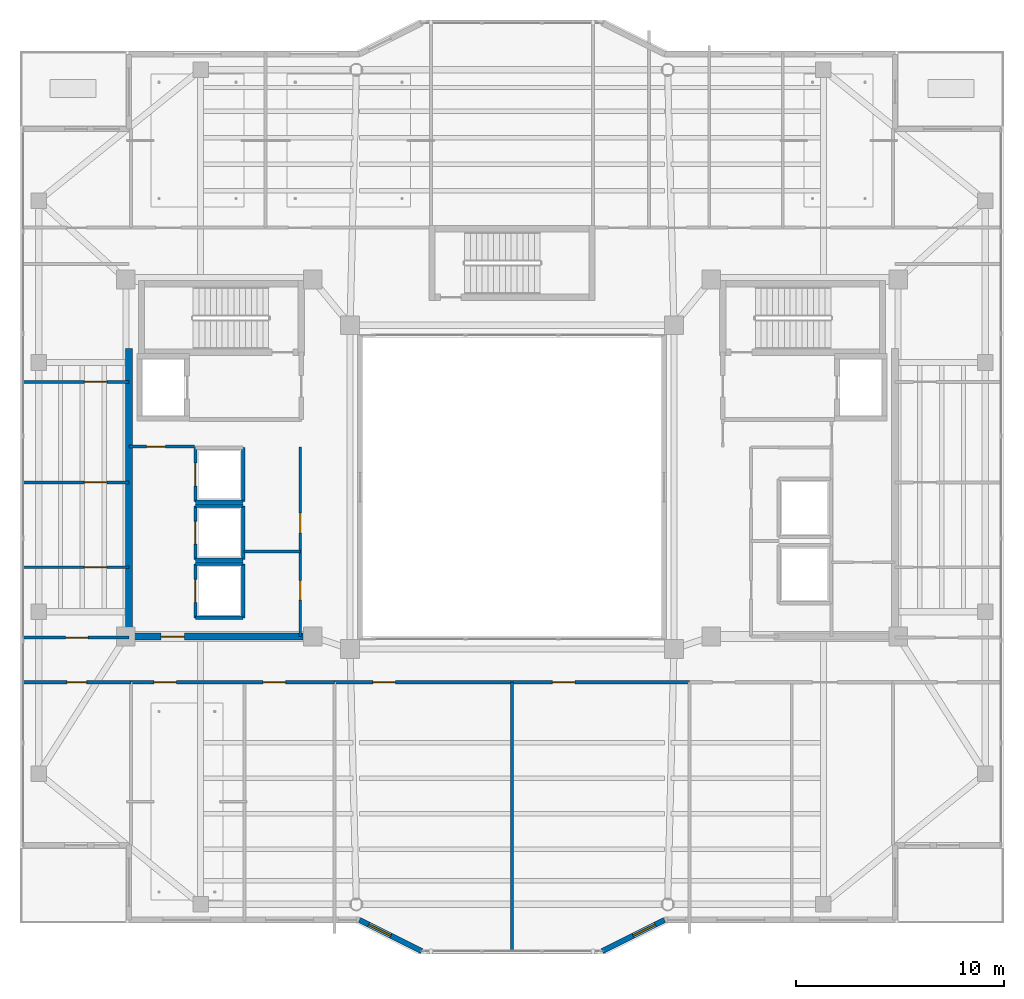
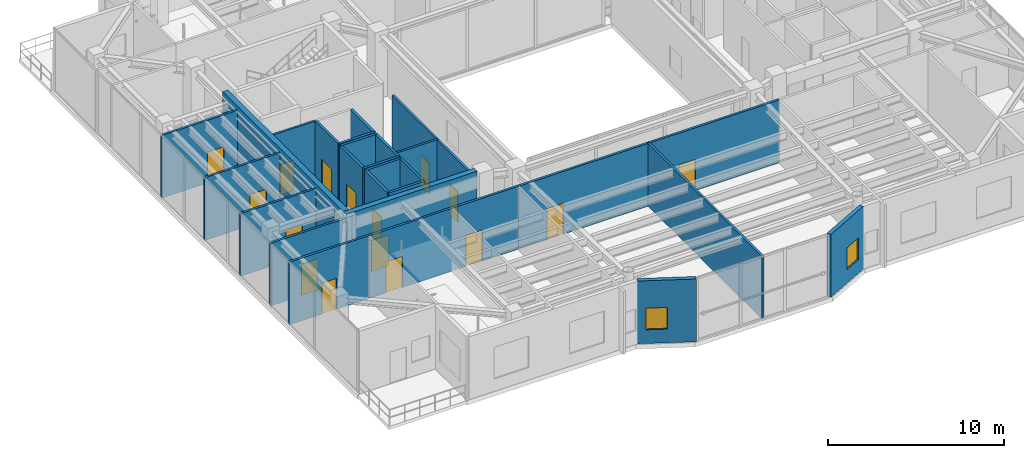
# One storey, part 23 of 34: 26 walls, 16 doors, 2 windows, 18 openings.
"""IFC4 building model written with IfcOpenShell, lengths in metres."""

from ifc_helpers import new_model, si_unit, direction, frame, frame_2d, origin, place, context, subcontext, project, spatial, rectangle, extrude, material, layer, layer_set, type_object, element, fill, save


model = new_model("IFC4")

# Units and contexts
model_context = context("Model", 3, precision=1e-05, world=origin(), true_north=direction((0.0, 1.0)))
body_context = subcontext(model_context, "Body", "Model", "MODEL_VIEW")
ifc_project = project(units=[si_unit("LENGTHUNIT", "METRE"), si_unit("AREAUNIT", "SQUARE_METRE"), si_unit("VOLUMEUNIT", "CUBIC_METRE"), si_unit("PLANEANGLEUNIT", "RADIAN"), si_unit("MASSUNIT", "GRAM", prefix="KILO")], contexts=[model_context])

# Site, building, storey
site_placement = place(None, origin())
site = spatial("IfcSite", under=ifc_project, at=site_placement, CompositionType="ELEMENT")
building_placement = place(site_placement, origin())
building = spatial("IfcBuilding", under=site, at=building_placement, Name="Tarnavaz Court Tower", CompositionType="ELEMENT")
storey_placement = place(building_placement, frame((0.0, 0.0, 231.75)))
storey = spatial("IfcBuildingStorey", under=building, at=storey_placement, Name="L63", CompositionType="ELEMENT", Elevation=231.75)

# Wall
ifc_material_1 = material(Name="Concrete C50/60", Category="concrete")
ifc_layer_1 = layer(ifc_material_1, 0.35009765625)
ifc_layer_set_1 = layer_set([ifc_layer_1], Name="Concrete C50/60")
wall_type_1 = type_object("IfcWallType", Name="WL-CORE-350-C50", PredefinedType="SHEAR", material=ifc_layer_set_1)
wall_1_placement = place(storey_placement, frame((-18.449951171875, -7.375, 0.0), z_axis=(0.0, 0.0, 1.0), x_axis=(0.0, 1.0, 0.0)))
element("IfcWall", 1, at=wall_1_placement, inside=storey, type_object=wall_type_1, Name="L63 West Core Shear Wall 045", PredefinedType="SHEAR", context=body_context, shape_type="SweptSolid", body=[
    extrude(rectangle(XDim=14.050048828125, YDim=0.35009765625, at=frame_2d((7.02490234375, 0.0))), origin(), (0.0, 0.0, 1.0), 4.64990234375),
])

# Wall, opening, door
wall_2_placement = place(storey_placement, frame((-18.625, -7.199951171875, 0.0), z_axis=(0.0, 0.0, 1.0), x_axis=(1.0, 0.0, 0.0)))
wall_2 = element("IfcWall", 2, at=wall_2_placement, inside=storey, type_object=wall_type_1, Name="L63 West Core South Shear Wall 046", PredefinedType="SHEAR", context=body_context, shape_type="SweptSolid", body=[
    extrude(rectangle(XDim=8.550048828125, YDim=0.35009765625, at=frame_2d((4.27490234375, 0.0))), origin(), (0.0, 0.0, 1.0), 4.64990234375),
])
opening_1_placement = place(wall_2_placement, frame((1.72509765625, 0.0, 0.0)))
opening_1 = element("IfcOpeningElement", 3, at=opening_1_placement, cuts=wall_2, Name="Opening D04", PredefinedType="OPENING", context=body_context, shape_type="SweptSolid", body=[
    extrude(rectangle(XDim=1.1201171875, YDim=2.14990234375, at=frame_2d((0.56005859375, 1.074951171875))), frame((0.0, 0.18505859375, 0.0), z_axis=(0.0, -1.0, 0.0), x_axis=(1.0, 0.0, 0.0)), (0.0, 0.0, 1.0), 0.3701171875),
])
ifc_material_2 = material(Name="Fire-Rated Hardwood Timber Core", Category="wood")
door_type_1 = type_object("IfcDoorType", Name="DR-FD60-1100", OperationType="NOTDEFINED", PredefinedType="DOOR", material=ifc_material_2)
door_1_placement = place(opening_1_placement, origin())
door_1 = element("IfcDoor", 4, at=door_1_placement, inside=storey, type_object=door_type_1, Name="L63 West High-Rise Lift Lobby Door", OperationType="SINGLE_SWING_LEFT", OverallHeight=2.14990234375, OverallWidth=1.1201171875, PredefinedType="DOOR", context=body_context, shape_type="SweptSolid", body=[
    extrude(rectangle(XDim=1.1201171875, YDim=2.14990234375, at=frame_2d((0.56005859375, 1.074951171875))), frame((0.0, 0.02490234375, 0.0), z_axis=(0.0, -1.0, 0.0), x_axis=(1.0, 0.0, 0.0)), (0.0, 0.0, 1.0), 0.050048828125),
])
fill(opening_1, door_1)

# Wall, opening, window
ifc_material_3 = material(Name="Precast Concrete C40/50", Category="concrete")
ifc_layer_2 = layer(ifc_material_3, 0.260009765625)
ifc_layer_set_2 = layer_set([ifc_layer_2], Name="Precast Concrete C40/50")
wall_type_2 = type_object("IfcWallType", Name="WL-EXT-260", PredefinedType="SOLIDWALL", material=ifc_layer_set_2)
wall_3_placement = place(storey_placement, frame((7.35009765625, -20.85009765625, 0.0), z_axis=(0.0, 0.0, 1.0), x_axis=(-0.894427191, -0.4472135955, 0.0)))
wall_3 = element("IfcWall", 5, at=wall_3_placement, inside=storey, type_object=wall_type_2, Name="L63 Exterior Terracotta Facade Wall 16", PredefinedType="SOLIDWALL", context=body_context, shape_type="SweptSolid", body=[
    extrude(rectangle(XDim=3.35400390625, YDim=0.260009765625, at=frame_2d((1.677001953125, 0.0))), origin(), (0.0, 0.0, 1.0), 4.35009765625),
])
opening_2_placement = place(wall_3_placement, frame((0.501220703125, 0.0, 0.949951171875)))
opening_2 = element("IfcOpeningElement", 6, at=opening_2_placement, cuts=wall_3, Name="Opening W05", PredefinedType="OPENING", context=body_context, shape_type="SweptSolid", body=[
    extrude(rectangle(XDim=1.199951171875, YDim=1.5, at=frame_2d((0.60009765625, 0.75))), frame((0.0, 0.139892578125, 0.0), z_axis=(0.0, -1.0, 0.0), x_axis=(1.0, 0.0, 0.0)), (0.0, 0.0, 1.0), 0.280029296875),
])
ifc_material_4 = material(Name="Double-Glazed Solar Low-E Glass", Category="glass")
window_type = type_object("IfcWindowType", Name="WN-APT-1200", PartitioningType="SINGLE_PANEL", PredefinedType="WINDOW", material=ifc_material_4)
window_1_placement = place(opening_2_placement, origin())
window_1 = element("IfcWindow", 7, at=window_1_placement, inside=storey, type_object=window_type, Name="L63 L63 South-East Music and Arts Studio Window", OverallHeight=1.5, OverallWidth=1.199951171875, PartitioningType="SINGLE_PANEL", PredefinedType="WINDOW", context=body_context, shape_type="SweptSolid", body=[
    extrude(rectangle(XDim=1.199951171875, YDim=1.5, at=frame_2d((0.60009765625, 0.75))), frame((0.0, 0.030029296875, 0.0), z_axis=(0.0, -1.0, 0.0), x_axis=(1.0, 0.0, 0.0)), (0.0, 0.0, 1.0), 0.06005859375),
])
fill(opening_2, window_1)

wall_4_placement = place(storey_placement, frame((-4.35009765625, -22.35009765625, 0.0), z_axis=(0.0, 0.0, 1.0), x_axis=(-0.894427191, 0.4472135955, 0.0)))
wall_4 = element("IfcWall", 8, at=wall_4_placement, inside=storey, type_object=wall_type_2, Name="L63 Exterior Terracotta Facade Wall 18", PredefinedType="SOLIDWALL", context=body_context, shape_type="SweptSolid", body=[
    extrude(rectangle(XDim=3.35400390625, YDim=0.260009765625, at=frame_2d((1.677001953125, 0.0))), origin(), (0.0, 0.0, 1.0), 4.35009765625),
])
opening_3_placement = place(wall_4_placement, frame((1.65283203125, 0.0, 0.949951171875)))
opening_3 = element("IfcOpeningElement", 9, at=opening_3_placement, cuts=wall_4, Name="Opening W05", PredefinedType="OPENING", context=body_context, shape_type="SweptSolid", body=[
    extrude(rectangle(XDim=1.199951171875, YDim=1.5, at=frame_2d((0.60009765625, 0.75))), frame((0.0, 0.139892578125, 0.0), z_axis=(0.0, -1.0, 0.0), x_axis=(1.0, 0.0, 0.0)), (0.0, 0.0, 1.0), 0.280029296875),
])
window_2_placement = place(opening_3_placement, origin())
window_2 = element("IfcWindow", 10, at=window_2_placement, inside=storey, type_object=window_type, Name="L63 L63 South-West Cultural Classroom Window", OverallHeight=1.5, OverallWidth=1.199951171875, PartitioningType="SINGLE_PANEL", PredefinedType="WINDOW", context=body_context, shape_type="SweptSolid", body=[
    extrude(rectangle(XDim=1.199951171875, YDim=1.5, at=frame_2d((0.60009765625, 0.75))), frame((0.0, 0.030029296875, 0.0), z_axis=(0.0, -1.0, 0.0), x_axis=(1.0, 0.0, 0.0)), (0.0, 0.0, 1.0), 0.06005859375),
])
fill(opening_3, window_2)

# Wall, openings, doors
ifc_material_5 = material(Name="Gypsum Fire-Board on Acoustic Metal Stud", Category="masonry")
ifc_layer_3 = layer(ifc_material_5, 0.14990234375)
ifc_layer_set_3 = layer_set([ifc_layer_3], Name="Gypsum Fire-Board on Acoustic Metal Stud")
wall_type_3 = type_object("IfcWallType", Name="WL-FIRE-150", PredefinedType="PARTITIONING", material=ifc_layer_set_3)
wall_5_placement = place(storey_placement, frame((-18.35009765625, -9.39990234375, 0.0), z_axis=(0.0, 0.0, 1.0), x_axis=(1.0, 0.0, 0.0)))
wall_5 = element("IfcWall", 11, at=wall_5_placement, inside=storey, type_object=wall_type_3, Name="L63 SW Lobby Wall 062", PredefinedType="PARTITIONING", context=body_context, shape_type="SweptSolid", body=[
    extrude(rectangle(XDim=9.800048828125, YDim=0.14990234375, at=frame_2d((4.89990234375, 0.0))), origin(), (0.0, 0.0, 1.0), 4.35009765625),
])
opening_4_placement = place(wall_5_placement, frame((1.10009765625, 0.0, 0.0)))
opening_4 = element("IfcOpeningElement", 12, at=opening_4_placement, cuts=wall_5, Name="Opening D12", PredefinedType="OPENING", context=body_context, shape_type="SweptSolid", body=[
    extrude(rectangle(XDim=1.080078125, YDim=2.14990234375, at=frame_2d((0.5400390625, 1.074951171875))), frame((0.0, 0.0849609375, 0.0), z_axis=(0.0, -1.0, 0.0), x_axis=(1.0, 0.0, 0.0)), (0.0, 0.0, 1.0), 0.169921875),
])
opening_5_placement = place(wall_5_placement, frame((6.360107421875, 0.0, 0.0)))
opening_5 = element("IfcOpeningElement", 13, at=opening_5_placement, cuts=wall_5, Name="Opening D12", PredefinedType="OPENING", context=body_context, shape_type="SweptSolid", body=[
    extrude(rectangle(XDim=1.080078125, YDim=2.14990234375, at=frame_2d((0.5400390625, 1.074951171875))), frame((0.0, 0.0849609375, 0.0), z_axis=(0.0, -1.0, 0.0), x_axis=(1.0, 0.0, 0.0)), (0.0, 0.0, 1.0), 0.169921875),
])
ifc_material_6 = material(Name="Engineered Oak Timber", Category="wood")
door_type_2 = type_object("IfcDoorType", Name="DR-INT-1100", OperationType="NOTDEFINED", PredefinedType="DOOR", material=ifc_material_6)
door_2_placement = place(opening_4_placement, origin())
door_2 = element("IfcDoor", 14, at=door_2_placement, inside=storey, type_object=door_type_2, Name="L63 L63 Daycare Classroom Door", OperationType="SINGLE_SWING_RIGHT", OverallHeight=2.14990234375, OverallWidth=1.080078125, PredefinedType="DOOR", context=body_context, shape_type="SweptSolid", body=[
    extrude(rectangle(XDim=1.080078125, YDim=2.14990234375, at=frame_2d((0.5400390625, 1.074951171875))), frame((0.0, 0.02490234375, 0.0), z_axis=(0.0, -1.0, 0.0), x_axis=(1.0, 0.0, 0.0)), (0.0, 0.0, 1.0), 0.050048828125),
])
fill(opening_4, door_2)
door_3_placement = place(opening_5_placement, origin())
door_3 = element("IfcDoor", 15, at=door_3_placement, inside=storey, type_object=door_type_2, Name="L63 SW Study Room Door", OperationType="SINGLE_SWING_LEFT", OverallHeight=2.14990234375, OverallWidth=1.080078125, PredefinedType="DOOR", context=body_context, shape_type="SweptSolid", body=[
    extrude(rectangle(XDim=1.080078125, YDim=2.14990234375, at=frame_2d((0.5400390625, 1.074951171875))), frame((0.0, 0.02490234375, 0.0), z_axis=(0.0, -1.0, 0.0), x_axis=(1.0, 0.0, 0.0)), (0.0, 0.0, 1.0), 0.050048828125),
])
fill(opening_5, door_3)

wall_6_placement = place(storey_placement, frame((-8.550048828125, -9.39990234375, 0.0), z_axis=(0.0, 0.0, 1.0), x_axis=(1.0, 0.0, 0.0)))
wall_6 = element("IfcWall", 16, at=wall_6_placement, inside=storey, type_object=wall_type_3, Name="L63 Interior Partition 074", PredefinedType="PARTITIONING", context=body_context, shape_type="SweptSolid", body=[
    extrude(rectangle(XDim=17.10009765625, YDim=0.14990234375, at=frame_2d((8.550048828125, 0.0))), origin(), (0.0, 0.0, 1.0), 4.35009765625),
])
opening_6_placement = place(wall_6_placement, frame((1.85009765625, 0.0, 0.0)))
opening_6 = element("IfcOpeningElement", 17, at=opening_6_placement, cuts=wall_6, Name="Opening D12", PredefinedType="OPENING", context=body_context, shape_type="SweptSolid", body=[
    extrude(rectangle(XDim=1.080078125, YDim=2.14990234375, at=frame_2d((0.5400390625, 1.074951171875))), frame((0.0, 0.0849609375, 0.0), z_axis=(0.0, -1.0, 0.0), x_axis=(1.0, 0.0, 0.0)), (0.0, 0.0, 1.0), 0.169921875),
])
opening_7_placement = place(wall_6_placement, frame((10.5, 0.0, 0.0)))
opening_7 = element("IfcOpeningElement", 18, at=opening_7_placement, cuts=wall_6, Name="Opening D12", PredefinedType="OPENING", context=body_context, shape_type="SweptSolid", body=[
    extrude(rectangle(XDim=1.080078125, YDim=2.14990234375, at=frame_2d((0.5400390625, 1.074951171875))), frame((0.0, 0.0849609375, 0.0), z_axis=(0.0, -1.0, 0.0), x_axis=(1.0, 0.0, 0.0)), (0.0, 0.0, 1.0), 0.169921875),
])
door_4_placement = place(opening_6_placement, origin())
door_4 = element("IfcDoor", 19, at=door_4_placement, inside=storey, type_object=door_type_2, Name="L63 Cultural Classroom Door", OperationType="SINGLE_SWING_RIGHT", OverallHeight=2.14990234375, OverallWidth=1.080078125, PredefinedType="DOOR", context=body_context, shape_type="SweptSolid", body=[
    extrude(rectangle(XDim=1.080078125, YDim=2.14990234375, at=frame_2d((0.5400390625, 1.074951171875))), frame((0.0, 0.02490234375, 0.0), z_axis=(0.0, -1.0, 0.0), x_axis=(1.0, 0.0, 0.0)), (0.0, 0.0, 1.0), 0.050048828125),
])
fill(opening_6, door_4)
door_5_placement = place(opening_7_placement, origin())
door_5 = element("IfcDoor", 20, at=door_5_placement, inside=storey, type_object=door_type_2, Name="L63 Arts Studio Door", OperationType="SINGLE_SWING_LEFT", OverallHeight=2.14990234375, OverallWidth=1.080078125, PredefinedType="DOOR", context=body_context, shape_type="SweptSolid", body=[
    extrude(rectangle(XDim=1.080078125, YDim=2.14990234375, at=frame_2d((0.5400390625, 1.074951171875))), frame((0.0, 0.02490234375, 0.0), z_axis=(0.0, -1.0, 0.0), x_axis=(1.0, 0.0, 0.0)), (0.0, 0.0, 1.0), 0.050048828125),
])
fill(opening_7, door_5)

# Wall, opening, door
wall_7_placement = place(storey_placement, frame((-23.580078125, -7.25, 0.0), z_axis=(0.0, 0.0, 1.0), x_axis=(1.0, 0.0, 0.0)))
wall_7 = element("IfcWall", 21, at=wall_7_placement, inside=storey, type_object=wall_type_3, Name="L63 Interior Partition 076", PredefinedType="PARTITIONING", context=body_context, shape_type="SweptSolid", body=[
    extrude(rectangle(XDim=5.130126953125, YDim=0.14990234375, at=frame_2d((2.56494140625, 0.0))), origin(), (0.0, 0.0, 1.0), 4.35009765625),
])
opening_8_placement = place(wall_7_placement, frame((2.080078125, 0.0, 0.0)))
opening_8 = element("IfcOpeningElement", 22, at=opening_8_placement, cuts=wall_7, Name="Opening D12", PredefinedType="OPENING", context=body_context, shape_type="SweptSolid", body=[
    extrude(rectangle(XDim=1.080078125, YDim=2.14990234375, at=frame_2d((0.5400390625, 1.074951171875))), frame((0.0, 0.0849609375, 0.0), z_axis=(0.0, -1.0, 0.0), x_axis=(1.0, 0.0, 0.0)), (0.0, 0.0, 1.0), 0.169921875),
])
door_6_placement = place(opening_8_placement, origin())
door_6 = element("IfcDoor", 23, at=door_6_placement, inside=storey, type_object=door_type_2, Name="L63 West Suite Room 1 Door", OperationType="SINGLE_SWING_RIGHT", OverallHeight=2.14990234375, OverallWidth=1.080078125, PredefinedType="DOOR", context=body_context, shape_type="SweptSolid", body=[
    extrude(rectangle(XDim=1.080078125, YDim=2.14990234375, at=frame_2d((0.5400390625, 1.074951171875))), frame((0.0, 0.02490234375, 0.0), z_axis=(0.0, -1.0, 0.0), x_axis=(1.0, 0.0, 0.0)), (0.0, 0.0, 1.0), 0.050048828125),
])
fill(opening_8, door_6)

wall_8_placement = place(storey_placement, frame((-23.580078125, -9.39990234375, 0.0), z_axis=(0.0, 0.0, 1.0), x_axis=(1.0, 0.0, 0.0)))
wall_8 = element("IfcWall", 24, at=wall_8_placement, inside=storey, type_object=wall_type_3, Name="L63 Interior Partition 086", PredefinedType="PARTITIONING", context=body_context, shape_type="SweptSolid", body=[
    extrude(rectangle(XDim=5.22998046875, YDim=0.14990234375, at=frame_2d((2.614990234375, 0.0))), origin(), (0.0, 0.0, 1.0), 4.35009765625),
])
opening_9_placement = place(wall_8_placement, frame((2.139892578125, 0.0, 0.0)))
opening_9 = element("IfcOpeningElement", 25, at=opening_9_placement, cuts=wall_8, Name="Opening D13", PredefinedType="OPENING", context=body_context, shape_type="SweptSolid", body=[
    extrude(rectangle(XDim=0.949951171875, YDim=2.14990234375, at=frame_2d((0.47509765625, 1.074951171875))), frame((0.0, 0.0849609375, 0.0), z_axis=(0.0, -1.0, 0.0), x_axis=(1.0, 0.0, 0.0)), (0.0, 0.0, 1.0), 0.169921875),
])
door_type_3 = type_object("IfcDoorType", Name="DR-INT-950", OperationType="NOTDEFINED", PredefinedType="DOOR", material=ifc_material_6)
door_7_placement = place(opening_9_placement, origin())
door_7 = element("IfcDoor", 26, at=door_7_placement, inside=storey, type_object=door_type_3, Name="L63 SW Terrace Salon Door", OperationType="SINGLE_SWING_RIGHT", OverallHeight=2.14990234375, OverallWidth=0.949951171875, PredefinedType="DOOR", context=body_context, shape_type="SweptSolid", body=[
    extrude(rectangle(XDim=0.949951171875, YDim=2.14990234375, at=frame_2d((0.47509765625, 1.074951171875))), frame((0.0, 0.02490234375, 0.0), z_axis=(0.0, -1.0, 0.0), x_axis=(1.0, 0.0, 0.0)), (0.0, 0.0, 1.0), 0.050048828125),
])
fill(opening_9, door_7)

ifc_material_7 = material(Name="Gypsum Plasterboard Acoustic Partition", Category="masonry")
ifc_layer_4 = layer(ifc_material_7, 0.139892578125)
ifc_layer_set_4 = layer_set([ifc_layer_4], Name="Gypsum Plasterboard Acoustic Partition")
wall_type_4 = type_object("IfcWallType", Name="WL-PART-150", PredefinedType="PARTITIONING", material=ifc_layer_set_4)
wall_9_placement = place(storey_placement, frame((-18.449951171875, 1.949951171875, 0.0), z_axis=(0.0, 0.0, 1.0), x_axis=(1.0, 0.0, 0.0)))
wall_9 = element("IfcWall", 27, at=wall_9_placement, inside=storey, type_object=wall_type_4, Name="L63 Interior Partition 049", PredefinedType="PARTITIONING", context=body_context, shape_type="SweptSolid", body=[
    extrude(rectangle(XDim=3.14990234375, YDim=0.139892578125, at=frame_2d((1.574951171875, 0.0))), origin(), (0.0, 0.0, 1.0), 4.35009765625),
])
opening_10_placement = place(wall_9_placement, frame((0.85009765625, 0.0, 0.0)))
opening_10 = element("IfcOpeningElement", 28, at=opening_10_placement, cuts=wall_9, Name="Opening D09", PredefinedType="OPENING", context=body_context, shape_type="SweptSolid", body=[
    extrude(rectangle(XDim=0.89990234375, YDim=2.080078125, at=frame_2d((0.449951171875, 1.0400390625))), frame((0.0, 0.079833984375, 0.0), z_axis=(0.0, -1.0, 0.0), x_axis=(1.0, 0.0, 0.0)), (0.0, 0.0, 1.0), 0.159912109375),
])
door_type_4 = type_object("IfcDoorType", Name="DR-FD30-900", OperationType="NOTDEFINED", PredefinedType="DOOR", material=ifc_material_2)
door_8_placement = place(opening_10_placement, origin())
door_8 = element("IfcDoor", 29, at=door_8_placement, inside=storey, type_object=door_type_4, Name="L63 West Core Electrical Room Door", OperationType="SINGLE_SWING_RIGHT", OverallHeight=2.080078125, OverallWidth=0.89990234375, PredefinedType="DOOR", context=body_context, shape_type="SweptSolid", body=[
    extrude(rectangle(XDim=0.89990234375, YDim=2.080078125, at=frame_2d((0.449951171875, 1.0400390625))), frame((0.0, 0.02490234375, 0.0), z_axis=(0.0, -1.0, 0.0), x_axis=(1.0, 0.0, 0.0)), (0.0, 0.0, 1.0), 0.050048828125),
])
fill(opening_10, door_8)

# Wall, openings, doors
wall_10_placement = place(storey_placement, frame((-10.199951171875, -7.199951171875, 0.0), z_axis=(0.0, 0.0, 1.0), x_axis=(0.0, 1.0, 0.0)))
wall_10 = element("IfcWall", 30, at=wall_10_placement, inside=storey, type_object=wall_type_4, Name="L63 West Reclaimed Core Wall 050", PredefinedType="PARTITIONING", context=body_context, shape_type="SweptSolid", body=[
    extrude(rectangle(XDim=9.119873046875, YDim=0.139892578125, at=frame_2d((4.56005859375, 0.0))), origin(), (0.0, 0.0, 1.0), 4.35009765625),
])
opening_11_placement = place(wall_10_placement, frame((1.75, 0.0, 0.0)))
opening_11 = element("IfcOpeningElement", 31, at=opening_11_placement, cuts=wall_10, Name="Opening D08", PredefinedType="OPENING", context=body_context, shape_type="SweptSolid", body=[
    extrude(rectangle(XDim=0.949951171875, YDim=2.1201171875, at=frame_2d((0.47509765625, 1.06005859375))), frame((0.0, 0.079833984375, 0.0), z_axis=(0.0, -1.0, 0.0), x_axis=(1.0, 0.0, 0.0)), (0.0, 0.0, 1.0), 0.159912109375),
])
opening_12_placement = place(wall_10_placement, frame((5.0, 0.0, 0.0)))
opening_12 = element("IfcOpeningElement", 32, at=opening_12_placement, cuts=wall_10, Name="Opening D08", PredefinedType="OPENING", context=body_context, shape_type="SweptSolid", body=[
    extrude(rectangle(XDim=0.949951171875, YDim=2.1201171875, at=frame_2d((0.47509765625, 1.06005859375))), frame((0.0, 0.079833984375, 0.0), z_axis=(0.0, -1.0, 0.0), x_axis=(1.0, 0.0, 0.0)), (0.0, 0.0, 1.0), 0.159912109375),
])
door_type_5 = type_object("IfcDoorType", Name="DR-FD30-950", OperationType="NOTDEFINED", PredefinedType="DOOR", material=ifc_material_2)
door_9_placement = place(opening_11_placement, origin())
door_9 = element("IfcDoor", 33, at=door_9_placement, inside=storey, type_object=door_type_5, Name="L63 West Study Room Door", OperationType="SINGLE_SWING_LEFT", OverallHeight=2.1201171875, OverallWidth=0.949951171875, PredefinedType="DOOR", context=body_context, shape_type="SweptSolid", body=[
    extrude(rectangle(XDim=0.949951171875, YDim=2.1201171875, at=frame_2d((0.47509765625, 1.06005859375))), frame((0.0, 0.02490234375, 0.0), z_axis=(0.0, -1.0, 0.0), x_axis=(1.0, 0.0, 0.0)), (0.0, 0.0, 1.0), 0.050048828125),
])
fill(opening_11, door_9)
door_10_placement = place(opening_12_placement, origin())
door_10 = element("IfcDoor", 34, at=door_10_placement, inside=storey, type_object=door_type_5, Name="L63 West Laundry Room Door", OperationType="SINGLE_SWING_RIGHT", OverallHeight=2.1201171875, OverallWidth=0.949951171875, PredefinedType="DOOR", context=body_context, shape_type="SweptSolid", body=[
    extrude(rectangle(XDim=0.949951171875, YDim=2.1201171875, at=frame_2d((0.47509765625, 1.06005859375))), frame((0.0, 0.02490234375, 0.0), z_axis=(0.0, -1.0, 0.0), x_axis=(1.0, 0.0, 0.0)), (0.0, 0.0, 1.0), 0.050048828125),
])
fill(opening_12, door_10)

# Walls
wall_11_placement = place(storey_placement, frame((-12.89990234375, -3.10009765625, 0.0), z_axis=(0.0, 0.0, 1.0), x_axis=(1.0, 0.0, 0.0)))
element("IfcWall", 35, at=wall_11_placement, inside=storey, type_object=wall_type_4, Name="L63 Interior Partition 051", PredefinedType="PARTITIONING", context=body_context, shape_type="SweptSolid", body=[
    extrude(rectangle(XDim=2.699951171875, YDim=0.139892578125, at=frame_2d((1.35009765625, 0.0))), origin(), (0.0, 0.0, 1.0), 4.35009765625),
])
wall_12_placement = place(storey_placement, frame((0.0, -22.3798828125, 0.0), z_axis=(0.0, 0.0, 1.0), x_axis=(0.0, 1.0, 0.0)))
element("IfcWall", 36, at=wall_12_placement, inside=storey, type_object=wall_type_4, Name="L63 Interior Partition 075", PredefinedType="PARTITIONING", context=body_context, shape_type="SweptSolid", body=[
    extrude(rectangle(XDim=12.97998046875, YDim=0.139892578125, at=frame_2d((6.489990234375, 0.0))), origin(), (0.0, 0.0, 1.0), 4.35009765625),
])

# Wall, opening, door
wall_13_placement = place(storey_placement, frame((-23.580078125, -3.860107421875, 0.0), z_axis=(0.0, 0.0, 1.0), x_axis=(1.0, 0.0, 0.0)))
wall_13 = element("IfcWall", 37, at=wall_13_placement, inside=storey, type_object=wall_type_4, Name="L63 Interior Partition 088", PredefinedType="PARTITIONING", context=body_context, shape_type="SweptSolid", body=[
    extrude(rectangle(XDim=5.130126953125, YDim=0.139892578125, at=frame_2d((2.56494140625, 0.0))), origin(), (0.0, 0.0, 1.0), 4.35009765625),
])
opening_13_placement = place(wall_13_placement, frame((2.97998046875, 0.0, 0.0)))
opening_13 = element("IfcOpeningElement", 38, at=opening_13_placement, cuts=wall_13, Name="Opening D12", PredefinedType="OPENING", context=body_context, shape_type="SweptSolid", body=[
    extrude(rectangle(XDim=1.080078125, YDim=2.14990234375, at=frame_2d((0.5400390625, 1.074951171875))), frame((0.0, 0.079833984375, 0.0), z_axis=(0.0, -1.0, 0.0), x_axis=(1.0, 0.0, 0.0)), (0.0, 0.0, 1.0), 0.159912109375),
])
door_11_placement = place(opening_13_placement, origin())
door_11 = element("IfcDoor", 39, at=door_11_placement, inside=storey, type_object=door_type_2, Name="L63 West Suite Room 2 Door", OperationType="SINGLE_SWING_LEFT", OverallHeight=2.14990234375, OverallWidth=1.080078125, PredefinedType="DOOR", context=body_context, shape_type="SweptSolid", body=[
    extrude(rectangle(XDim=1.080078125, YDim=2.14990234375, at=frame_2d((0.5400390625, 1.074951171875))), frame((0.0, 0.02490234375, 0.0), z_axis=(0.0, -1.0, 0.0), x_axis=(1.0, 0.0, 0.0)), (0.0, 0.0, 1.0), 0.050048828125),
])
fill(opening_13, door_11)

wall_14_placement = place(storey_placement, frame((-23.580078125, 0.222900390625, 0.0), z_axis=(0.0, 0.0, 1.0), x_axis=(1.0, 0.0, 0.0)))
wall_14 = element("IfcWall", 40, at=wall_14_placement, inside=storey, type_object=wall_type_4, Name="L63 Interior Partition 089", PredefinedType="PARTITIONING", context=body_context, shape_type="SweptSolid", body=[
    extrude(rectangle(XDim=5.130126953125, YDim=0.139892578125, at=frame_2d((2.56494140625, 0.0))), origin(), (0.0, 0.0, 1.0), 4.35009765625),
])
opening_14_placement = place(wall_14_placement, frame((2.97998046875, 0.0, 0.0)))
opening_14 = element("IfcOpeningElement", 41, at=opening_14_placement, cuts=wall_14, Name="Opening D12", PredefinedType="OPENING", context=body_context, shape_type="SweptSolid", body=[
    extrude(rectangle(XDim=1.080078125, YDim=2.14990234375, at=frame_2d((0.5400390625, 1.074951171875))), frame((0.0, 0.079833984375, 0.0), z_axis=(0.0, -1.0, 0.0), x_axis=(1.0, 0.0, 0.0)), (0.0, 0.0, 1.0), 0.159912109375),
])
door_12_placement = place(opening_14_placement, origin())
door_12 = element("IfcDoor", 42, at=door_12_placement, inside=storey, type_object=door_type_2, Name="L63 West Suite Room 3 Door", OperationType="SINGLE_SWING_RIGHT", OverallHeight=2.14990234375, OverallWidth=1.080078125, PredefinedType="DOOR", context=body_context, shape_type="SweptSolid", body=[
    extrude(rectangle(XDim=1.080078125, YDim=2.14990234375, at=frame_2d((0.5400390625, 1.074951171875))), frame((0.0, 0.02490234375, 0.0), z_axis=(0.0, -1.0, 0.0), x_axis=(1.0, 0.0, 0.0)), (0.0, 0.0, 1.0), 0.050048828125),
])
fill(opening_14, door_12)

wall_15_placement = place(storey_placement, frame((-23.580078125, 5.070068359375, 0.0), z_axis=(0.0, 0.0, 1.0), x_axis=(1.0, 0.0, 0.0)))
wall_15 = element("IfcWall", 43, at=wall_15_placement, inside=storey, type_object=wall_type_4, Name="L63 Interior Partition 090", PredefinedType="PARTITIONING", context=body_context, shape_type="SweptSolid", body=[
    extrude(rectangle(XDim=5.130126953125, YDim=0.139892578125, at=frame_2d((2.56494140625, 0.0))), origin(), (0.0, 0.0, 1.0), 4.35009765625),
])
opening_15_placement = place(wall_15_placement, frame((2.97998046875, 0.0, 0.0)))
opening_15 = element("IfcOpeningElement", 44, at=opening_15_placement, cuts=wall_15, Name="Opening D12", PredefinedType="OPENING", context=body_context, shape_type="SweptSolid", body=[
    extrude(rectangle(XDim=1.080078125, YDim=2.14990234375, at=frame_2d((0.5400390625, 1.074951171875))), frame((0.0, 0.079833984375, 0.0), z_axis=(0.0, -1.0, 0.0), x_axis=(1.0, 0.0, 0.0)), (0.0, 0.0, 1.0), 0.159912109375),
])
door_13_placement = place(opening_15_placement, origin())
door_13 = element("IfcDoor", 45, at=door_13_placement, inside=storey, type_object=door_type_2, Name="L63 West Suite Room 4 Door", OperationType="SINGLE_SWING_LEFT", OverallHeight=2.14990234375, OverallWidth=1.080078125, PredefinedType="DOOR", context=body_context, shape_type="SweptSolid", body=[
    extrude(rectangle(XDim=1.080078125, YDim=2.14990234375, at=frame_2d((0.5400390625, 1.074951171875))), frame((0.0, 0.02490234375, 0.0), z_axis=(0.0, -1.0, 0.0), x_axis=(1.0, 0.0, 0.0)), (0.0, 0.0, 1.0), 0.050048828125),
])
fill(opening_15, door_13)

ifc_material_8 = material(Name="Autoclaved Aerated Concrete Blockwork", Category="masonry")
ifc_layer_5 = layer(ifc_material_8, 0.159912109375)
ifc_layer_set_5 = layer_set([ifc_layer_5], Name="Autoclaved Aerated Concrete Blockwork")
wall_type_5 = type_object("IfcWallType", Name="WL-SHAFT-150", PredefinedType="SOLIDWALL", material=ifc_layer_set_5)
wall_16_placement = place(storey_placement, frame((-15.25, -6.300048828125, 0.0), z_axis=(0.0, 0.0, 1.0), x_axis=(0.0, 1.0, 0.0)))
wall_16 = element("IfcWall", 46, at=wall_16_placement, inside=storey, type_object=wall_type_5, Name="L63 Lift PL-H1 Shaft Wall 021", PredefinedType="SOLIDWALL", context=body_context, shape_type="SweptSolid", body=[
    extrude(rectangle(XDim=2.60009765625, YDim=0.159912109375, at=frame_2d((1.300048828125, 0.0))), origin(), (0.0, 0.0, 1.0), 4.35009765625),
])
opening_16_placement = place(wall_16_placement, frame((0.75, 0.0, 0.0)))
opening_16 = element("IfcOpeningElement", 47, at=opening_16_placement, cuts=wall_16, Name="Opening LD1", PredefinedType="OPENING", context=body_context, shape_type="SweptSolid", body=[
    extrude(rectangle(XDim=1.10009765625, YDim=2.14990234375, at=frame_2d((0.550048828125, 1.074951171875))), frame((0.0, 0.08984375, 0.0), z_axis=(0.0, -1.0, 0.0), x_axis=(1.0, 0.0, 0.0)), (0.0, 0.0, 1.0), 0.179931640625),
])
ifc_material_9 = material(Name="Stainless Steel", Category="steel")
door_type_6 = type_object("IfcDoorType", Name="DR-LD-1100", OperationType="NOTDEFINED", PredefinedType="DOOR", material=ifc_material_9)
door_14_placement = place(opening_16_placement, origin())
door_14 = element("IfcDoor", 48, at=door_14_placement, inside=storey, type_object=door_type_6, Name="L63 Lift Landing Door LD-PL-H1", OperationType="SLIDING_TO_LEFT", OverallHeight=2.14990234375, OverallWidth=1.10009765625, PredefinedType="DOOR", context=body_context, shape_type="SweptSolid", body=[
    extrude(rectangle(XDim=1.10009765625, YDim=2.14990234375, at=frame_2d((0.550048828125, 1.074951171875))), frame((0.0, 0.02490234375, 0.0), z_axis=(0.0, -1.0, 0.0), x_axis=(1.0, 0.0, 0.0)), (0.0, 0.0, 1.0), 0.050048828125),
])
fill(opening_16, door_14)

# Walls
wall_17_placement = place(storey_placement, frame((-12.949951171875, -6.300048828125, 0.0), z_axis=(0.0, 0.0, 1.0), x_axis=(0.0, 1.0, 0.0)))
element("IfcWall", 49, at=wall_17_placement, inside=storey, type_object=wall_type_5, Name="L63 Lift PL-H1 Shaft Wall 022", PredefinedType="SOLIDWALL", context=body_context, shape_type="SweptSolid", body=[
    extrude(rectangle(XDim=2.60009765625, YDim=0.159912109375, at=frame_2d((1.300048828125, 0.0))), origin(), (0.0, 0.0, 1.0), 4.35009765625),
])
for number, where, z_axis, x_axis, name in (
    (50, (-15.25, -6.300048828125, 0.0), (0.0, 0.0, 1.0), (1.0, 0.0, 0.0), "L63 Lift PL-H1 Shaft Wall 023"),
    (51, (-15.25, -3.699951171875, 0.0), (0.0, 0.0, 1.0), (1.0, 0.0, 0.0), "L63 Lift PL-H1 Shaft Wall 024"),
):
    element("IfcWall", number, at=place(storey_placement, frame(where, z_axis=z_axis, x_axis=x_axis)), inside=storey, type_object=wall_type_5, Name=name, PredefinedType="SOLIDWALL", context=body_context, shape_type="SweptSolid", body=[
        extrude(rectangle(XDim=2.300048828125, YDim=0.159912109375, at=frame_2d((1.14990234375, 0.0))), origin(), (0.0, 0.0, 1.0), 4.35009765625),
    ])

# Wall, opening, door
wall_18_placement = place(storey_placement, frame((-15.25, -3.5, 0.0), z_axis=(0.0, 0.0, 1.0), x_axis=(0.0, 1.0, 0.0)))
wall_18 = element("IfcWall", 52, at=wall_18_placement, inside=storey, type_object=wall_type_5, Name="L63 Lift PL-H2 Shaft Wall 025", PredefinedType="SOLIDWALL", context=body_context, shape_type="SweptSolid", body=[
    extrude(rectangle(XDim=2.60009765625, YDim=0.159912109375, at=frame_2d((1.300048828125, 0.0))), origin(), (0.0, 0.0, 1.0), 4.35009765625),
])
opening_17_placement = place(wall_18_placement, frame((0.75, 0.0, 0.0)))
opening_17 = element("IfcOpeningElement", 53, at=opening_17_placement, cuts=wall_18, Name="Opening LD1", PredefinedType="OPENING", context=body_context, shape_type="SweptSolid", body=[
    extrude(rectangle(XDim=1.10009765625, YDim=2.14990234375, at=frame_2d((0.550048828125, 1.074951171875))), frame((0.0, 0.08984375, 0.0), z_axis=(0.0, -1.0, 0.0), x_axis=(1.0, 0.0, 0.0)), (0.0, 0.0, 1.0), 0.179931640625),
])
door_15_placement = place(opening_17_placement, origin())
door_15 = element("IfcDoor", 54, at=door_15_placement, inside=storey, type_object=door_type_6, Name="L63 Lift Landing Door LD-PL-H2", OperationType="SLIDING_TO_LEFT", OverallHeight=2.14990234375, OverallWidth=1.10009765625, PredefinedType="DOOR", context=body_context, shape_type="SweptSolid", body=[
    extrude(rectangle(XDim=1.10009765625, YDim=2.14990234375, at=frame_2d((0.550048828125, 1.074951171875))), frame((0.0, 0.02490234375, 0.0), z_axis=(0.0, -1.0, 0.0), x_axis=(1.0, 0.0, 0.0)), (0.0, 0.0, 1.0), 0.050048828125),
])
fill(opening_17, door_15)

# Walls
wall_19_placement = place(storey_placement, frame((-12.949951171875, -3.5, 0.0), z_axis=(0.0, 0.0, 1.0), x_axis=(0.0, 1.0, 0.0)))
element("IfcWall", 55, at=wall_19_placement, inside=storey, type_object=wall_type_5, Name="L63 Lift PL-H2 Shaft Wall 026", PredefinedType="SOLIDWALL", context=body_context, shape_type="SweptSolid", body=[
    extrude(rectangle(XDim=2.60009765625, YDim=0.159912109375, at=frame_2d((1.300048828125, 0.0))), origin(), (0.0, 0.0, 1.0), 4.35009765625),
])
for number, where, z_axis, x_axis, name in (
    (56, (-15.25, -3.5, 0.0), (0.0, 0.0, 1.0), (1.0, 0.0, 0.0), "L63 Lift PL-H2 Shaft Wall 027"),
    (57, (-15.25, -0.89990234375, 0.0), (0.0, 0.0, 1.0), (1.0, 0.0, 0.0), "L63 Lift PL-H2 Shaft Wall 028"),
):
    element("IfcWall", number, at=place(storey_placement, frame(where, z_axis=z_axis, x_axis=x_axis)), inside=storey, type_object=wall_type_5, Name=name, PredefinedType="SOLIDWALL", context=body_context, shape_type="SweptSolid", body=[
        extrude(rectangle(XDim=2.300048828125, YDim=0.159912109375, at=frame_2d((1.14990234375, 0.0))), origin(), (0.0, 0.0, 1.0), 4.35009765625),
    ])

# Wall, opening, door
wall_20_placement = place(storey_placement, frame((-15.25, -0.699951171875, 0.0), z_axis=(0.0, 0.0, 1.0), x_axis=(0.0, 1.0, 0.0)))
wall_20 = element("IfcWall", 58, at=wall_20_placement, inside=storey, type_object=wall_type_5, Name="L63 Lift PL-H3 Shaft Wall 029", PredefinedType="SOLIDWALL", context=body_context, shape_type="SweptSolid", body=[
    extrude(rectangle(XDim=2.599853515625, YDim=0.159912109375, at=frame_2d((1.2998046875, 0.0))), origin(), (0.0, 0.0, 1.0), 4.35009765625),
])
opening_18_placement = place(wall_20_placement, frame((0.75, 0.0, 0.0)))
opening_18 = element("IfcOpeningElement", 59, at=opening_18_placement, cuts=wall_20, Name="Opening LD1", PredefinedType="OPENING", context=body_context, shape_type="SweptSolid", body=[
    extrude(rectangle(XDim=1.10009765625, YDim=2.14990234375, at=frame_2d((0.550048828125, 1.074951171875))), frame((0.0, 0.08984375, 0.0), z_axis=(0.0, -1.0, 0.0), x_axis=(1.0, 0.0, 0.0)), (0.0, 0.0, 1.0), 0.179931640625),
])
door_16_placement = place(opening_18_placement, origin())
door_16 = element("IfcDoor", 60, at=door_16_placement, inside=storey, type_object=door_type_6, Name="L63 Lift Landing Door LD-PL-H3", OperationType="SLIDING_TO_LEFT", OverallHeight=2.14990234375, OverallWidth=1.10009765625, PredefinedType="DOOR", context=body_context, shape_type="SweptSolid", body=[
    extrude(rectangle(XDim=1.10009765625, YDim=2.14990234375, at=frame_2d((0.550048828125, 1.074951171875))), frame((0.0, 0.02490234375, 0.0), z_axis=(0.0, -1.0, 0.0), x_axis=(1.0, 0.0, 0.0)), (0.0, 0.0, 1.0), 0.050048828125),
])
fill(opening_18, door_16)

# Walls
wall_21_placement = place(storey_placement, frame((-12.949951171875, -0.699951171875, 0.0), z_axis=(0.0, 0.0, 1.0), x_axis=(0.0, 1.0, 0.0)))
element("IfcWall", 61, at=wall_21_placement, inside=storey, type_object=wall_type_5, Name="L63 Lift PL-H3 Shaft Wall 030", PredefinedType="SOLIDWALL", context=body_context, shape_type="SweptSolid", body=[
    extrude(rectangle(XDim=2.599853515625, YDim=0.159912109375, at=frame_2d((1.2998046875, 0.0))), origin(), (0.0, 0.0, 1.0), 4.35009765625),
])
wall_22_placement = place(storey_placement, frame((-15.25, -0.699951171875, 0.0), z_axis=(0.0, 0.0, 1.0), x_axis=(1.0, 0.0, 0.0)))
element("IfcWall", 62, at=wall_22_placement, inside=storey, type_object=wall_type_5, Name="L63 Lift PL-H3 Shaft Wall 031", PredefinedType="SOLIDWALL", context=body_context, shape_type="SweptSolid", body=[
    extrude(rectangle(XDim=2.300048828125, YDim=0.159912109375, at=frame_2d((1.14990234375, 0.0))), origin(), (0.0, 0.0, 1.0), 4.35009765625),
])

save(model, "model.ifc")
